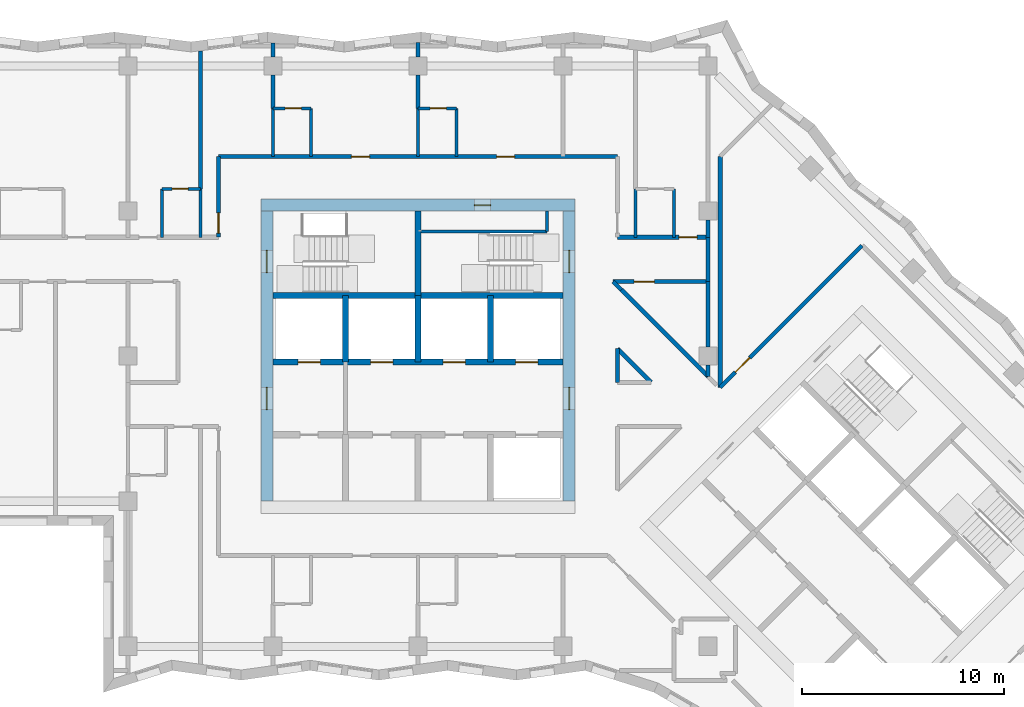
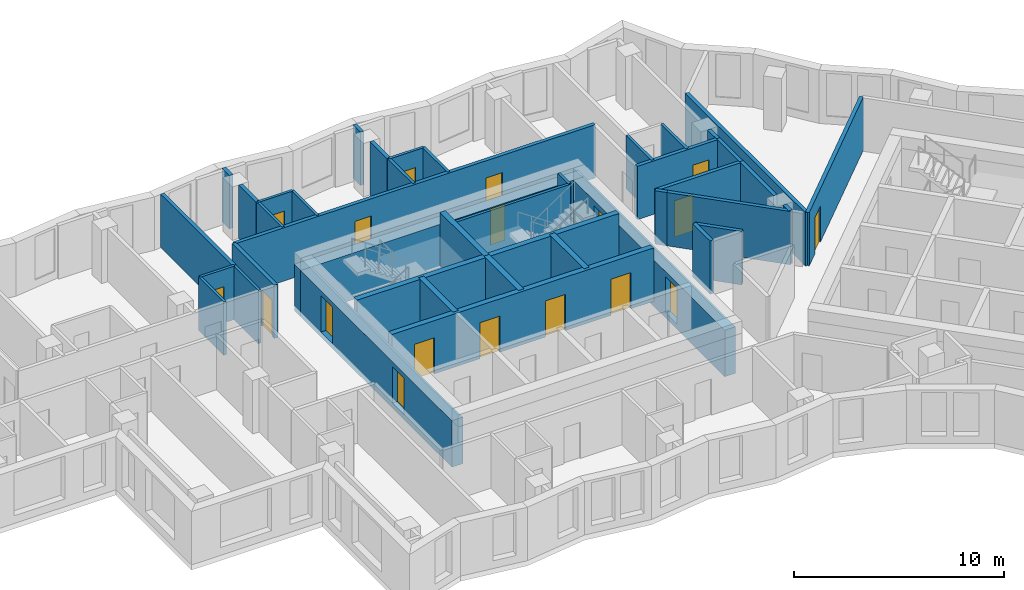
# One storey, part 6 of 12: 42 walls, 18 doors, 18 openings.
"""IFC4 building model written with IfcOpenShell, lengths in metres."""

import ifcopenshell
import ifcopenshell.guid

model = None  # the IFC model being written
_history = None  # IfcOwnerHistory: only IFC2X3 demands one
_inside = {}  # id of a spatial element -> (the spatial element, [elements in it])
_under = {}  # id of a project, library or spatial element -> (it, [spatial elements below it])
_declared = {}  # id of a project -> (the project, [libraries it declares])
_typed = {}  # id of a type object -> (the type object, [elements of that type])
_made_of = {}  # id of a material, layer set ... -> (it, [elements and type objects made of it])


def new_model(schema):
    """Start an empty IFC model of exactly this schema.

    Asked for "IFC4X3", IfcOpenShell would pick the latest addendum, in which some entities
    have other attributes; the version numbers below select the first issue.
    IFC2X3 requires an IfcOwnerHistory on every rooted entity: one is made here for all.
    """
    global model, _history
    if schema == "IFC4X3":
        model = ifcopenshell.file(schema_version=(4, 3, 0, 0))
    else:
        model = ifcopenshell.file(schema=schema)
    _inside.clear()
    _under.clear()
    _declared.clear()
    _typed.clear()
    _made_of.clear()
    _history = None
    if model.schema == "IFC2X3":
        org = make("IfcOrganization", Name="unknown")
        user = make(
            "IfcPersonAndOrganization",
            ThePerson=make("IfcPerson", FamilyName="unknown"),
            TheOrganization=org,
        )
        app = make(
            "IfcApplication",
            ApplicationDeveloper=org,
            Version="unknown",
            ApplicationFullName="unknown",
            ApplicationIdentifier="unknown",
        )
        _history = make(
            "IfcOwnerHistory",
            OwningUser=user,
            OwningApplication=app,
            ChangeAction="ADDED",
            CreationDate=0,
        )
    return model


def make(cls, **values):
    """One entity of the class cls with the attributes given. An attribute that is None is left unset."""
    return model.create_entity(
        cls, **{name: value for name, value in values.items() if value is not None}
    )


def rooted(cls, **values):
    """An entity with a GlobalId (a new one), such as an element, a storey or a relation."""
    return make(cls, GlobalId=ifcopenshell.guid.new(), OwnerHistory=_history, **values)


def si_unit(unit_type, name, prefix=None):
    """IfcSIUnit, for example si_unit("LENGTHUNIT", "METRE", prefix="MILLI")."""
    return make("IfcSIUnit", UnitType=unit_type, Prefix=prefix, Name=name)


def assignment(units):
    """IfcUnitAssignment: the units of a project."""
    return None if units is None else make("IfcUnitAssignment", Units=units)


def point(xyz):
    """IfcCartesianPoint."""
    return None if xyz is None else make("IfcCartesianPoint", Coordinates=xyz)


def direction(xyz):
    """IfcDirection."""
    return None if xyz is None else make("IfcDirection", DirectionRatios=xyz)


def frame(location, z_axis=None, x_axis=None):
    """IfcAxis2Placement3D, a coordinate frame: its origin and axes. An axis left out is left unset."""
    return make(
        "IfcAxis2Placement3D",
        Location=point(location),
        Axis=direction(z_axis),
        RefDirection=direction(x_axis),
    )


def frame_2d(location, x_axis=None):
    """IfcAxis2Placement2D, a coordinate frame in the plane: its origin and x axis."""
    return make(
        "IfcAxis2Placement2D", Location=point(location), RefDirection=direction(x_axis)
    )


def origin():
    """The frame at (0, 0, 0) with its axes left unset."""
    return frame((0.0, 0.0, 0.0))


def place(relative_to, where):
    """IfcLocalPlacement: puts the frame where relative to a parent placement (None: the world)."""
    return make(
        "IfcLocalPlacement", PlacementRelTo=relative_to, RelativePlacement=where
    )


def context(
    kind, dimensions, precision=None, world=None, true_north=None, identifier=None
):
    """IfcGeometricRepresentationContext, for example the 3D "Model" context."""
    return make(
        "IfcGeometricRepresentationContext",
        ContextIdentifier=identifier,
        ContextType=kind,
        CoordinateSpaceDimension=dimensions,
        Precision=precision,
        WorldCoordinateSystem=world,
        TrueNorth=true_north,
    )


def subcontext(parent, identifier, kind, view, scale=None):
    """IfcGeometricRepresentationSubContext, for example "Body" below "Model"."""
    return make(
        "IfcGeometricRepresentationSubContext",
        ContextIdentifier=identifier,
        ContextType=kind,
        ParentContext=parent,
        TargetScale=scale,
        TargetView=view,
    )


def project(units=None, contexts=None):
    """IfcProject with its units and contexts."""
    return rooted(
        "IfcProject",
        Name="project",
        RepresentationContexts=contexts,
        UnitsInContext=assignment(units),
    )


def spatial(cls, under=None, at=None, **own):
    """A site, building, storey or space (cls), placed at a placement, below another one or the project."""
    s = rooted(cls, ObjectPlacement=at, **own)
    if under is not None:
        _under.setdefault(under.id(), (under, []))[1].append(s)
    return s


def profile(cls, at=None, kind="AREA", **sizes):
    """A parametric profile (cls). Its sizes go by their IFC names, for example OverallWidth=200.0."""
    return make(cls, ProfileType=kind, Position=at, **sizes)


def rectangle(**sizes):
    """IfcRectangleProfileDef."""
    return profile("IfcRectangleProfileDef", **sizes)


def extrude(swept, where, along, depth):
    """IfcExtrudedAreaSolid: the profile swept, set in the frame where, extruded along a direction by depth."""
    return make(
        "IfcExtrudedAreaSolid",
        SweptArea=swept,
        Position=where,
        ExtrudedDirection=direction(along),
        Depth=depth,
    )


def shape(context_of_items, identifier, shape_type, items):
    """IfcShapeRepresentation: the items that make up one representation, for example the "Body"."""
    return make(
        "IfcShapeRepresentation",
        ContextOfItems=context_of_items,
        RepresentationIdentifier=identifier,
        RepresentationType=shape_type,
        Items=items,
    )


def material(Name=None, Category=None):
    """IfcMaterial."""
    return make("IfcMaterial", Name=Name, Category=Category)


def layer(
    of_material, thickness, ventilated=None, Name=None, Category=None, Priority=None
):
    """IfcMaterialLayer: one layer of a wall or slab, of a material (None: an air gap)."""
    return make(
        "IfcMaterialLayer",
        Material=of_material,
        LayerThickness=thickness,
        IsVentilated=ventilated,
        Name=Name,
        Category=Category,
        Priority=Priority,
    )


def layer_set(layers, Name=None):
    """IfcMaterialLayerSet."""
    return make("IfcMaterialLayerSet", MaterialLayers=layers, LayerSetName=Name)


def made_of(thing, what):
    """Note that an element or type object is made of a material, layer set ...; save() writes the relation."""
    if what is not None:
        _made_of.setdefault(what.id(), (what, []))[1].append(thing)
    return thing


def type_object(cls, material=None, **own):
    """A type object (cls), such as IfcWallType, which elements share."""
    return made_of(rooted(cls, **own), material)


def element(
    cls,
    number,
    at=None,
    inside=None,
    cuts=None,
    type_object=None,
    material=None,
    context=None,
    identifier="Body",
    shape_type=None,
    held_by="IfcProductDefinitionShape",
    body=None,
    shapes=None,
    **own,
):
    """One element of the class cls, such as IfcWall. Its Tag is "e" and its number.

    at: its placement. inside: the storey or other place that contains it. cuts: it is an
    opening in that element (IfcRelVoidsElement). A single representation is given by context,
    identifier, shape_type and body (its items); several are given by shapes. held_by: the class
    of the entity that holds the representations. save() writes the other relations.
    """
    e = rooted(cls, Tag="e%d" % number, ObjectPlacement=at, **own)
    if body is not None:
        shapes = [shape(context, identifier, shape_type, body)]
    if shapes is not None:
        e.Representation = make(held_by, Representations=shapes)
    if inside is not None:
        _inside.setdefault(inside.id(), (inside, []))[1].append(e)
    if cuts is not None:
        rooted(
            "IfcRelVoidsElement", RelatingBuildingElement=cuts, RelatedOpeningElement=e
        )
    if type_object is not None:
        _typed.setdefault(type_object.id(), (type_object, []))[1].append(e)
    return made_of(e, material)


def fill(opening, filler):
    """IfcRelFillsElement: the door or window that sits in an opening."""
    return rooted(
        "IfcRelFillsElement",
        RelatingOpeningElement=opening,
        RelatedBuildingElement=filler,
    )


def aggregate(whole, parts):
    """IfcRelAggregates: a whole, such as a stair, and the parts it consists of."""
    return rooted("IfcRelAggregates", RelatingObject=whole, RelatedObjects=parts)


def save(model, path):
    """Write the relations noted so far, then the file.

    IfcRelAggregates (storeys below a building ...), IfcRelContainedInSpatialStructure (elements
    in a storey), IfcRelDefinesByType, IfcRelAssociatesMaterial and IfcRelDeclares: one each for
    every whole, place, type object, material and project.
    """
    for whole, parts in _under.values():
        aggregate(whole, parts)
    for where, things in _inside.values():
        rooted(
            "IfcRelContainedInSpatialStructure",
            RelatedElements=things,
            RelatingStructure=where,
        )
    for kind, things in _typed.values():
        rooted("IfcRelDefinesByType", RelatedObjects=things, RelatingType=kind)
    for what, things in _made_of.values():
        rooted("IfcRelAssociatesMaterial", RelatedObjects=things, RelatingMaterial=what)
    for by, libraries in _declared.values():
        rooted("IfcRelDeclares", RelatingContext=by, RelatedDefinitions=libraries)
    model.write(path)


model = new_model("IFC4")

# Units and contexts
model_context = context("Model", 3, precision=1e-05, world=origin(), true_north=direction((0.0, 1.0)))
body_context = subcontext(model_context, "Body", "Model", "MODEL_VIEW")
ifc_project = project(units=[si_unit("LENGTHUNIT", "METRE"), si_unit("AREAUNIT", "SQUARE_METRE"), si_unit("VOLUMEUNIT", "CUBIC_METRE"), si_unit("PLANEANGLEUNIT", "RADIAN"), si_unit("MASSUNIT", "GRAM", prefix="KILO")], contexts=[model_context])

# Site, building, storey
site_placement = place(None, origin())
site = spatial("IfcSite", under=ifc_project, at=site_placement, CompositionType="ELEMENT")
building_placement = place(site_placement, origin())
building = spatial("IfcBuilding", under=site, at=building_placement, Name="Windrow Commons", CompositionType="ELEMENT")
storey_placement = place(building_placement, frame((0.0, 0.0, 155.8)))
storey = spatial("IfcBuildingStorey", under=building, at=storey_placement, Name="L42", CompositionType="ELEMENT", Elevation=155.8)

# Wall, openings, doors
ifc_material_1 = material(Name="Blockwork partition", Category="masonry")
ifc_layer_1 = layer(ifc_material_1, 0.2)
ifc_layer_set_1 = layer_set([ifc_layer_1], Name="IW-CORRIDOR-200")
wall_type_1 = type_object("IfcWallType", Name="IW-CORRIDOR-200", PredefinedType="PARTITIONING", material=ifc_layer_set_1)
wall_1_placement = place(storey_placement, frame((54.9, 67.5, 0.0), z_axis=(0.0, 0.0, 1.0), x_axis=(1.0, 0.0, 0.0)))
wall_1 = element("IfcWall", 1, at=wall_1_placement, inside=storey, type_object=wall_type_1, Name="W-L42-W000", PredefinedType="PARTITIONING", context=body_context, shape_type="SweptSolid", body=[
    extrude(rectangle(XDim=19.8, YDim=0.2, at=frame_2d((9.9, 0.0))), origin(), (0.0, 0.0, 1.0), 3.1),
])
opening_1_placement = place(wall_1_placement, frame((6.5994, 0.0, 0.0)))
opening_1 = element("IfcOpeningElement", 2, at=opening_1_placement, cuts=wall_1, Name="Opening D109F", PredefinedType="OPENING", context=body_context, shape_type="SweptSolid", body=[
    extrude(rectangle(XDim=0.9, YDim=2.1, at=frame_2d((0.45, 1.05))), frame((0.0, 0.11, 0.0), z_axis=(0.0, -1.0, 0.0), x_axis=(1.0, 0.0, 0.0)), (0.0, 0.0, 1.0), 0.22),
])
opening_2_placement = place(wall_1_placement, frame((13.7994, 0.0, 0.0)))
opening_2 = element("IfcOpeningElement", 3, at=opening_2_placement, cuts=wall_1, Name="Opening D109F", PredefinedType="OPENING", context=body_context, shape_type="SweptSolid", body=[
    extrude(rectangle(XDim=0.9, YDim=2.1, at=frame_2d((0.45, 1.05))), frame((0.0, 0.11, 0.0), z_axis=(0.0, -1.0, 0.0), x_axis=(1.0, 0.0, 0.0)), (0.0, 0.0, 1.0), 0.22),
])
ifc_material_2 = material(Name="Timber door leaf", Category="wood")
door_type_1 = type_object("IfcDoorType", Name="DT-BEDROOM-900", OperationType="SINGLE_SWING_LEFT", PredefinedType="DOOR", material=ifc_material_2)
door_1_placement = place(opening_1_placement, origin())
door_1 = element("IfcDoor", 4, at=door_1_placement, inside=storey, type_object=door_type_1, Name="D-L42-D036", OperationType="SINGLE_SWING_RIGHT", OverallHeight=2.1, OverallWidth=0.9, PredefinedType="DOOR", context=body_context, shape_type="SweptSolid", body=[
    extrude(rectangle(XDim=0.9, YDim=2.1, at=frame_2d((0.45, 1.05))), frame((0.0, 0.025, 0.0), z_axis=(0.0, -1.0, 0.0), x_axis=(1.0, 0.0, 0.0)), (0.0, 0.0, 1.0), 0.05),
])
fill(opening_1, door_1)
door_2_placement = place(opening_2_placement, origin())
door_2 = element("IfcDoor", 5, at=door_2_placement, inside=storey, type_object=door_type_1, Name="D-L42-D038", OperationType="SINGLE_SWING_RIGHT", OverallHeight=2.1, OverallWidth=0.9, PredefinedType="DOOR", context=body_context, shape_type="SweptSolid", body=[
    extrude(rectangle(XDim=0.9, YDim=2.1, at=frame_2d((0.45, 1.05))), frame((0.0, 0.025, 0.0), z_axis=(0.0, -1.0, 0.0), x_axis=(1.0, 0.0, 0.0)), (0.0, 0.0, 1.0), 0.05),
])
fill(opening_2, door_2)

# Wall, opening, door
wall_2_placement = place(storey_placement, frame((79.7993, 56.0547, 0.0), z_axis=(0.0, 0.0, 1.0), x_axis=(0.7071067812, 0.7071067812, 0.0)))
wall_2 = element("IfcWall", 6, at=wall_2_placement, inside=storey, type_object=wall_type_1, Name="W-L42-W013", PredefinedType="PARTITIONING", context=body_context, shape_type="SweptSolid", body=[
    extrude(rectangle(XDim=9.9504, YDim=0.2, at=frame_2d((4.9752, 0.0))), origin(), (0.0, 0.0, 1.0), 3.1),
])
opening_3_placement = place(wall_2_placement, frame((1.0709, 0.0, 0.0)))
opening_3 = element("IfcOpeningElement", 7, at=opening_3_placement, cuts=wall_2, Name="Opening D310F", PredefinedType="OPENING", context=body_context, shape_type="SweptSolid", body=[
    extrude(rectangle(XDim=1.0, YDim=2.1, at=frame_2d((0.5, 1.05))), frame((0.0, 0.11, 0.0), z_axis=(0.0, -1.0, 0.0), x_axis=(1.0, 0.0, 0.0)), (0.0, 0.0, 1.0), 0.22),
])
ifc_material_3 = material(Name="Timber door leaf", Category="wood")
door_type_2 = type_object("IfcDoorType", Name="DT-AMENITY-1000", OperationType="SINGLE_SWING_LEFT", PredefinedType="DOOR", material=ifc_material_3)
door_3_placement = place(opening_3_placement, origin())
door_3 = element("IfcDoor", 8, at=door_3_placement, inside=storey, type_object=door_type_2, Name="D-L42-D040", OperationType="SINGLE_SWING_RIGHT", OverallHeight=2.1, OverallWidth=1.0, PredefinedType="DOOR", context=body_context, shape_type="SweptSolid", body=[
    extrude(rectangle(XDim=1.0, YDim=2.1, at=frame_2d((0.5, 1.05))), frame((0.0, 0.025, 0.0), z_axis=(0.0, -1.0, 0.0), x_axis=(1.0, 0.0, 0.0)), (0.0, 0.0, 1.0), 0.05),
])
fill(opening_3, door_3)

# Wall
wall_3_placement = place(storey_placement, frame((74.9034, 60.8894, 0.0), z_axis=(0.0, 0.0, 1.0), x_axis=(0.7071067812, -0.7071067812, 0.0)))
element("IfcWall", 9, at=wall_3_placement, inside=storey, type_object=wall_type_1, Name="W-L42-W026", PredefinedType="PARTITIONING", context=body_context, shape_type="SweptSolid", body=[
    extrude(rectangle(XDim=6.0811, YDim=0.2, at=frame_2d((3.0406, 0.0))), origin(), (0.0, 0.0, 1.0), 3.1),
])

# Wall, opening, door
wall_4_placement = place(storey_placement, frame((74.488, 61.3, 0.0), z_axis=(0.0, 0.0, 1.0), x_axis=(1.0, 0.0, 0.0)))
wall_4 = element("IfcWall", 10, at=wall_4_placement, inside=storey, type_object=wall_type_1, Name="W-L42-W033", PredefinedType="PARTITIONING", context=body_context, shape_type="SweptSolid", body=[
    extrude(rectangle(XDim=4.712, YDim=0.2, at=frame_2d((2.356, 0.0))), origin(), (0.0, 0.0, 1.0), 3.1),
])
opening_4_placement = place(wall_4_placement, frame((1.0374, 0.0, 0.0)))
opening_4 = element("IfcOpeningElement", 11, at=opening_4_placement, cuts=wall_4, Name="Opening D410F", PredefinedType="OPENING", context=body_context, shape_type="SweptSolid", body=[
    extrude(rectangle(XDim=1.0, YDim=2.1, at=frame_2d((0.5, 1.05))), frame((0.0, 0.11, 0.0), z_axis=(0.0, -1.0, 0.0), x_axis=(1.0, 0.0, 0.0)), (0.0, 0.0, 1.0), 0.22),
])
ifc_material_4 = material(Name="Timber door leaf", Category="wood")
door_type_3 = type_object("IfcDoorType", Name="DT-SERVICE-1000", OperationType="SINGLE_SWING_LEFT", PredefinedType="DOOR", material=ifc_material_4)
door_4_placement = place(opening_4_placement, origin())
door_4 = element("IfcDoor", 12, at=door_4_placement, inside=storey, type_object=door_type_3, Name="D-L42-D030", OperationType="SINGLE_SWING_RIGHT", OverallHeight=2.1, OverallWidth=1.0, PredefinedType="DOOR", context=body_context, shape_type="SweptSolid", body=[
    extrude(rectangle(XDim=1.0, YDim=2.1, at=frame_2d((0.5, 1.05))), frame((0.0, 0.025, 0.0), z_axis=(0.0, -1.0, 0.0), x_axis=(1.0, 0.0, 0.0)), (0.0, 0.0, 1.0), 0.05),
])
fill(opening_4, door_4)

wall_5_placement = place(storey_placement, frame((74.702, 63.5, 0.0), z_axis=(0.0, 0.0, 1.0), x_axis=(1.0, 0.0, 0.0)))
wall_5 = element("IfcWall", 13, at=wall_5_placement, inside=storey, type_object=wall_type_1, Name="W-L42-W037", PredefinedType="PARTITIONING", context=body_context, shape_type="SweptSolid", body=[
    extrude(rectangle(XDim=4.498, YDim=0.2, at=frame_2d((2.249, 0.0))), origin(), (0.0, 0.0, 1.0), 3.1),
])
opening_5_placement = place(wall_5_placement, frame((3.0463, 0.0, 0.0)))
opening_5 = element("IfcOpeningElement", 14, at=opening_5_placement, cuts=wall_5, Name="Opening D109S", PredefinedType="OPENING", context=body_context, shape_type="SweptSolid", body=[
    extrude(rectangle(XDim=0.9, YDim=2.1, at=frame_2d((0.45, 1.05))), frame((0.0, 0.11, 0.0), z_axis=(0.0, -1.0, 0.0), x_axis=(1.0, 0.0, 0.0)), (0.0, 0.0, 1.0), 0.22),
])
door_5_placement = place(opening_5_placement, origin())
door_5 = element("IfcDoor", 15, at=door_5_placement, inside=storey, type_object=door_type_1, Name="D-L42-D023", OperationType="SINGLE_SWING_LEFT", OverallHeight=2.1, OverallWidth=0.9, PredefinedType="DOOR", context=body_context, shape_type="SweptSolid", body=[
    extrude(rectangle(XDim=0.9, YDim=2.1, at=frame_2d((0.45, 1.05))), frame((0.0, 0.025, 0.0), z_axis=(0.0, -1.0, 0.0), x_axis=(1.0, 0.0, 0.0)), (0.0, 0.0, 1.0), 0.05),
])
fill(opening_5, door_5)

wall_6_placement = place(storey_placement, frame((54.9, 63.502, 0.0), z_axis=(0.0, 0.0, 1.0), x_axis=(0.0, 1.0, 0.0)))
wall_6 = element("IfcWall", 16, at=wall_6_placement, inside=storey, type_object=wall_type_1, Name="W-L42-W042", PredefinedType="PARTITIONING", context=body_context, shape_type="SweptSolid", body=[
    extrude(rectangle(XDim=3.998, YDim=0.2, at=frame_2d((1.999, 0.0))), origin(), (0.0, 0.0, 1.0), 3.1),
])
opening_6_placement = place(wall_6_placement, frame((0.2031, 0.0, 0.0)))
opening_6 = element("IfcOpeningElement", 17, at=opening_6_placement, cuts=wall_6, Name="Opening D310F", PredefinedType="OPENING", context=body_context, shape_type="SweptSolid", body=[
    extrude(rectangle(XDim=1.0, YDim=2.1, at=frame_2d((0.5, 1.05))), frame((0.0, 0.11, 0.0), z_axis=(0.0, -1.0, 0.0), x_axis=(1.0, 0.0, 0.0)), (0.0, 0.0, 1.0), 0.22),
])
door_6_placement = place(opening_6_placement, origin())
door_6 = element("IfcDoor", 18, at=door_6_placement, inside=storey, type_object=door_type_2, Name="D-L42-D021", OperationType="SINGLE_SWING_LEFT", OverallHeight=2.1, OverallWidth=1.0, PredefinedType="DOOR", context=body_context, shape_type="SweptSolid", body=[
    extrude(rectangle(XDim=1.0, YDim=2.1, at=frame_2d((0.5, 1.05))), frame((0.0, 0.025, 0.0), z_axis=(0.0, -1.0, 0.0), x_axis=(1.0, 0.0, 0.0)), (0.0, 0.0, 1.0), 0.05),
])
fill(opening_6, door_6)

# Walls
wall_7_placement = place(storey_placement, frame((74.6987, 57.9687, 0.0), z_axis=(0.0, 0.0, 1.0), x_axis=(0.7071067812, -0.7071067812, 0.0)))
element("IfcWall", 19, at=wall_7_placement, inside=storey, type_object=wall_type_1, Name="W-L42-W104", PredefinedType="PARTITIONING", context=body_context, shape_type="SweptSolid", body=[
    extrude(rectangle(XDim=2.3617, YDim=0.2, at=frame_2d((1.1808, 0.0))), origin(), (0.0, 0.0, 1.0), 3.1),
])
wall_8_placement = place(storey_placement, frame((79.2, 61.3, 0.0), z_axis=(0.0, 0.0, 1.0), x_axis=(0.0, 1.0, 0.0)))
element("IfcWall", 20, at=wall_8_placement, inside=storey, type_object=wall_type_1, Name="W-L42-W107", PredefinedType="PARTITIONING", context=body_context, shape_type="SweptSolid", body=[
    extrude(rectangle(XDim=2.2, YDim=0.2, at=frame_2d((1.1, 0.0))), origin(), (0.0, 0.0, 1.0), 3.1),
])
wall_9_placement = place(storey_placement, frame((74.7, 56.302, 0.0), z_axis=(0.0, 0.0, 1.0), x_axis=(0.0, 1.0, 0.0)))
element("IfcWall", 21, at=wall_9_placement, inside=storey, type_object=wall_type_1, Name="W-L42-W131", PredefinedType="PARTITIONING", context=body_context, shape_type="SweptSolid", body=[
    extrude(rectangle(XDim=1.67, YDim=0.2, at=frame_2d((0.835, 0.0))), origin(), (0.0, 0.0, 1.0), 3.1),
])
wall_10_placement = place(storey_placement, frame((74.4888, 61.3008, 0.0), z_axis=(0.0, 0.0, 1.0), x_axis=(0.7053925905, -0.7088168263, 0.0)))
element("IfcWall", 22, at=wall_10_placement, inside=storey, type_object=wall_type_1, Name="W-L42-W167", PredefinedType="PARTITIONING", context=body_context, shape_type="SweptSolid", body=[
    extrude(rectangle(XDim=0.5841, YDim=0.2, at=frame_2d((0.292, 0.0))), origin(), (0.0, 0.0, 1.0), 3.1),
])
ifc_material_5 = material(Name="Blockwork partition", Category="masonry")
ifc_layer_2 = layer(ifc_material_5, 0.15)
ifc_layer_set_2 = layer_set([ifc_layer_2], Name="IW-ENSUITE-150")
wall_type_2 = type_object("IfcWallType", Name="IW-ENSUITE-150", PredefinedType="PARTITIONING", material=ifc_layer_set_2)
for number, where, z_axis, x_axis, name in (
    (23, (52.1, 63.5, 0.0), (0.0, 0.0, 1.0), (0.0, 1.0, 0.0), "W-L42-W079"),
    (24, (54.0, 63.5, 0.0), (0.0, 0.0, 1.0), (0.0, 1.0, 0.0), "W-L42-W080"),
    (25, (59.5, 67.5, 0.0), (0.0, 0.0, 1.0), (0.0, 1.0, 0.0), "W-L42-W082"),
    (26, (57.6, 67.5, 0.0), (0.0, 0.0, 1.0), (0.0, 1.0, 0.0), "W-L42-W084"),
    (27, (66.7, 67.5, 0.0), (0.0, 0.0, 1.0), (0.0, 1.0, 0.0), "W-L42-W086"),
    (28, (64.8, 67.5, 0.0), (0.0, 0.0, 1.0), (0.0, 1.0, 0.0), "W-L42-W088"),
    (29, (75.6, 63.5, 0.0), (0.0, 0.0, 1.0), (0.0, 1.0, 0.0), "W-L42-W089"),
    (30, (77.5, 63.5, 0.0), (0.0, 0.0, 1.0), (0.0, 1.0, 0.0), "W-L42-W090"),
):
    element("IfcWall", number, at=place(storey_placement, frame(where, z_axis=z_axis, x_axis=x_axis)), inside=storey, type_object=wall_type_2, Name=name, PredefinedType="PARTITIONING", context=body_context, shape_type="SweptSolid", body=[
        extrude(rectangle(XDim=2.4, YDim=0.15, at=frame_2d((1.2, 0.0))), origin(), (0.0, 0.0, 1.0), 3.1),
    ])

# Wall, opening, door
wall_11_placement = place(storey_placement, frame((64.8, 69.9, 0.0), z_axis=(0.0, 0.0, 1.0), x_axis=(1.0, 0.0, 0.0)))
wall_11 = element("IfcWall", 31, at=wall_11_placement, inside=storey, type_object=wall_type_2, Name="W-L42-W116", PredefinedType="PARTITIONING", context=body_context, shape_type="SweptSolid", body=[
    extrude(rectangle(XDim=1.9, YDim=0.15, at=frame_2d((0.95, 0.0))), origin(), (0.0, 0.0, 1.0), 3.1),
])
opening_7_placement = place(wall_11_placement, frame((0.6069, 0.0, 0.0)))
opening_7 = element("IfcOpeningElement", 32, at=opening_7_placement, cuts=wall_11, Name="Opening D208N", PredefinedType="OPENING", context=body_context, shape_type="SweptSolid", body=[
    extrude(rectangle(XDim=0.8, YDim=2.1, at=frame_2d((0.4, 1.05))), frame((0.0, 0.085, 0.0), z_axis=(0.0, -1.0, 0.0), x_axis=(1.0, 0.0, 0.0)), (0.0, 0.0, 1.0), 0.17),
])
ifc_material_6 = material(Name="Timber door leaf", Category="wood")
door_type_4 = type_object("IfcDoorType", Name="DT-ENSUITE-800", OperationType="SINGLE_SWING_LEFT", PredefinedType="DOOR", material=ifc_material_6)
door_7_placement = place(opening_7_placement, origin())
door_7 = element("IfcDoor", 33, at=door_7_placement, inside=storey, type_object=door_type_4, Name="D-L42-D039", OperationType="SINGLE_SWING_RIGHT", OverallHeight=2.1, OverallWidth=0.8, PredefinedType="DOOR", context=body_context, shape_type="SweptSolid", body=[
    extrude(rectangle(XDim=0.8, YDim=2.1, at=frame_2d((0.4, 1.05))), frame((0.0, 0.025, 0.0), z_axis=(0.0, -1.0, 0.0), x_axis=(1.0, 0.0, 0.0)), (0.0, 0.0, 1.0), 0.05),
])
fill(opening_7, door_7)

wall_12_placement = place(storey_placement, frame((52.1, 65.9, 0.0), z_axis=(0.0, 0.0, 1.0), x_axis=(1.0, 0.0, 0.0)))
wall_12 = element("IfcWall", 34, at=wall_12_placement, inside=storey, type_object=wall_type_2, Name="W-L42-W122", PredefinedType="PARTITIONING", context=body_context, shape_type="SweptSolid", body=[
    extrude(rectangle(XDim=1.9, YDim=0.15, at=frame_2d((0.95, 0.0))), origin(), (0.0, 0.0, 1.0), 3.1),
])
opening_8_placement = place(wall_12_placement, frame((0.4931, 0.0, 0.0)))
opening_8 = element("IfcOpeningElement", 35, at=opening_8_placement, cuts=wall_12, Name="Opening D208N", PredefinedType="OPENING", context=body_context, shape_type="SweptSolid", body=[
    extrude(rectangle(XDim=0.8, YDim=2.1, at=frame_2d((0.4, 1.05))), frame((0.0, 0.085, 0.0), z_axis=(0.0, -1.0, 0.0), x_axis=(1.0, 0.0, 0.0)), (0.0, 0.0, 1.0), 0.17),
])
door_8_placement = place(opening_8_placement, origin())
door_8 = element("IfcDoor", 36, at=door_8_placement, inside=storey, type_object=door_type_4, Name="D-L42-D020", OperationType="SINGLE_SWING_RIGHT", OverallHeight=2.1, OverallWidth=0.8, PredefinedType="DOOR", context=body_context, shape_type="SweptSolid", body=[
    extrude(rectangle(XDim=0.8, YDim=2.1, at=frame_2d((0.4, 1.05))), frame((0.0, 0.025, 0.0), z_axis=(0.0, -1.0, 0.0), x_axis=(1.0, 0.0, 0.0)), (0.0, 0.0, 1.0), 0.05),
])
fill(opening_8, door_8)

wall_13_placement = place(storey_placement, frame((57.6, 69.9, 0.0), z_axis=(0.0, 0.0, 1.0), x_axis=(1.0, 0.0, 0.0)))
wall_13 = element("IfcWall", 37, at=wall_13_placement, inside=storey, type_object=wall_type_2, Name="W-L42-W125", PredefinedType="PARTITIONING", context=body_context, shape_type="SweptSolid", body=[
    extrude(rectangle(XDim=1.9, YDim=0.15, at=frame_2d((0.95, 0.0))), origin(), (0.0, 0.0, 1.0), 3.1),
])
opening_9_placement = place(wall_13_placement, frame((0.6069, 0.0, 0.0)))
opening_9 = element("IfcOpeningElement", 38, at=opening_9_placement, cuts=wall_13, Name="Opening D208N", PredefinedType="OPENING", context=body_context, shape_type="SweptSolid", body=[
    extrude(rectangle(XDim=0.8, YDim=2.1, at=frame_2d((0.4, 1.05))), frame((0.0, 0.085, 0.0), z_axis=(0.0, -1.0, 0.0), x_axis=(1.0, 0.0, 0.0)), (0.0, 0.0, 1.0), 0.17),
])
door_9_placement = place(opening_9_placement, origin())
door_9 = element("IfcDoor", 39, at=door_9_placement, inside=storey, type_object=door_type_4, Name="D-L42-D037", OperationType="SINGLE_SWING_RIGHT", OverallHeight=2.1, OverallWidth=0.8, PredefinedType="DOOR", context=body_context, shape_type="SweptSolid", body=[
    extrude(rectangle(XDim=0.8, YDim=2.1, at=frame_2d((0.4, 1.05))), frame((0.0, 0.025, 0.0), z_axis=(0.0, -1.0, 0.0), x_axis=(1.0, 0.0, 0.0)), (0.0, 0.0, 1.0), 0.05),
])
fill(opening_9, door_9)

# Walls
ifc_material_7 = material(Name="Blockwork partition", Category="masonry")
ifc_layer_3 = layer(ifc_material_7, 0.2)
ifc_layer_set_3 = layer_set([ifc_layer_3], Name="IW-PARTY-200")
wall_type_3 = type_object("IfcWallType", Name="IW-PARTY-200", PredefinedType="PARTITIONING", material=ifc_layer_set_3)
wall_14_placement = place(storey_placement, frame((79.8, 56.054, 0.0), z_axis=(0.0, 0.0, 1.0), x_axis=(0.0, 1.0, 0.0)))
element("IfcWall", 40, at=wall_14_placement, inside=storey, type_object=wall_type_3, Name="W-L42-W011", PredefinedType="PARTITIONING", context=body_context, shape_type="SweptSolid", body=[
    extrude(rectangle(XDim=11.454, YDim=0.2, at=frame_2d((5.727, 0.0))), origin(), (0.0, 0.0, 1.0), 3.1),
])
wall_15_placement = place(storey_placement, frame((54.0, 65.9, 0.0), z_axis=(0.0, 0.0, 1.0), x_axis=(0.0, 1.0, 0.0)))
element("IfcWall", 41, at=wall_15_placement, inside=storey, type_object=wall_type_3, Name="W-L42-W017", PredefinedType="PARTITIONING", context=body_context, shape_type="SweptSolid", body=[
    extrude(rectangle(XDim=6.8552, YDim=0.2, at=frame_2d((3.4276, 0.0))), origin(), (0.0, 0.0, 1.0), 3.1),
])
wall_16_placement = place(storey_placement, frame((79.2, 58.05, 0.0), z_axis=(0.0, 0.0, 1.0), x_axis=(0.0, 1.0, 0.0)))
element("IfcWall", 42, at=wall_16_placement, inside=storey, type_object=wall_type_3, Name="W-L42-W048", PredefinedType="PARTITIONING", context=body_context, shape_type="SweptSolid", body=[
    extrude(rectangle(XDim=3.25, YDim=0.2, at=frame_2d((1.625, 0.0))), origin(), (0.0, 0.0, 1.0), 3.1),
])
for number, where, z_axis, x_axis, name in (
    (43, (57.6, 69.9, 0.0), (0.0, 0.0, 1.0), (0.0, 1.0, 0.0), "W-L42-W134"),
    (44, (64.8, 69.9, 0.0), (0.0, 0.0, 1.0), (0.0, 1.0, 0.0), "W-L42-W135"),
):
    element("IfcWall", number, at=place(storey_placement, frame(where, z_axis=z_axis, x_axis=x_axis)), inside=storey, type_object=wall_type_3, Name=name, PredefinedType="PARTITIONING", context=body_context, shape_type="SweptSolid", body=[
        extrude(rectangle(XDim=1.65, YDim=0.2, at=frame_2d((0.825, 0.0))), origin(), (0.0, 0.0, 1.0), 3.1),
    ])
wall_17_placement = place(storey_placement, frame((79.2, 63.5, 0.0), z_axis=(0.0, 0.0, 1.0), x_axis=(0.0, 1.0, 0.0)))
element("IfcWall", 45, at=wall_17_placement, inside=storey, type_object=wall_type_3, Name="W-L42-W150", PredefinedType="PARTITIONING", context=body_context, shape_type="SweptSolid", body=[
    extrude(rectangle(XDim=0.85, YDim=0.2, at=frame_2d((0.425, 0.0))), origin(), (0.0, 0.0, 1.0), 3.1),
])
wall_18_placement = place(storey_placement, frame((57.6, 72.45, 0.0), z_axis=(0.0, 0.0, 1.0), x_axis=(0.0, 1.0, 0.0)))
element("IfcWall", 46, at=wall_18_placement, inside=storey, type_object=wall_type_3, Name="W-L42-W161", PredefinedType="PARTITIONING", context=body_context, shape_type="SweptSolid", body=[
    extrude(rectangle(XDim=0.6944, YDim=0.2, at=frame_2d((0.3472, 0.0))), origin(), (0.0, 0.0, 1.0), 3.1),
])
wall_19_placement = place(storey_placement, frame((79.2, 56.586, 0.0), z_axis=(0.0, 0.0, 1.0), x_axis=(0.0, 1.0, 0.0)))
element("IfcWall", 47, at=wall_19_placement, inside=storey, type_object=wall_type_3, Name="W-L42-W168", PredefinedType="PARTITIONING", context=body_context, shape_type="SweptSolid", body=[
    extrude(rectangle(XDim=0.564, YDim=0.2, at=frame_2d((0.282, 0.0))), origin(), (0.0, 0.0, 1.0), 3.1),
])
wall_20_placement = place(storey_placement, frame((64.8, 72.45, 0.0), z_axis=(0.0, 0.0, 1.0), x_axis=(0.0, 1.0, 0.0)))
element("IfcWall", 48, at=wall_20_placement, inside=storey, type_object=wall_type_3, Name="W-L42-W169", PredefinedType="PARTITIONING", context=body_context, shape_type="SweptSolid", body=[
    extrude(rectangle(XDim=0.7104, YDim=0.2, at=frame_2d((0.3552, 0.0))), origin(), (0.0, 0.0, 1.0), 3.1),
])

# Wall, opening, door
ifc_material_8 = material(Name="Concrete C50/60", Category="concrete")
ifc_layer_4 = layer(ifc_material_8, 0.6)
ifc_layer_set_4 = layer_set([ifc_layer_4], Name="RC CORE WALL 600 C50/60")
wall_type_4 = type_object("IfcWallType", Name="RC CORE WALL 600 C50/60", PredefinedType="SHEAR", material=ifc_layer_set_4)
wall_21_placement = place(storey_placement, frame((57.0, 65.1, -0.3), z_axis=(0.0, 0.0, 1.0), x_axis=(1.0, 0.0, 0.0)))
wall_21 = element("IfcWall", 49, at=wall_21_placement, inside=storey, type_object=wall_type_4, Name="Core A wall outer-N", PredefinedType="SHEAR", context=body_context, shape_type="SweptSolid", body=[
    extrude(rectangle(XDim=15.6, YDim=0.6, at=frame_2d((7.8, 0.0))), origin(), (0.0, 0.0, 1.0), 2.7),
])
opening_10_placement = place(wall_21_placement, frame((10.6, 0.0, 0.3)))
opening_10 = element("IfcOpeningElement", 50, at=opening_10_placement, cuts=wall_21, Name="Opening D9", PredefinedType="OPENING", context=body_context, shape_type="SweptSolid", body=[
    extrude(rectangle(XDim=0.8, YDim=2.1, at=frame_2d((0.4, 1.05))), frame((0.0, 0.31, 0.0), z_axis=(0.0, -1.0, 0.0), x_axis=(1.0, 0.0, 0.0)), (0.0, 0.0, 1.0), 0.62),
])
ifc_material_9 = material(Name="Steel fire door leaf", Category="steel")
door_type_5 = type_object("IfcDoorType", Name="Riser access door 800", OperationType="SINGLE_SWING_LEFT", PredefinedType="DOOR", material=ifc_material_9)
door_10_placement = place(opening_10_placement, origin())
door_10 = element("IfcDoor", 51, at=door_10_placement, inside=storey, type_object=door_type_5, Name="Riser access door", OperationType="SINGLE_SWING_RIGHT", OverallHeight=2.1, OverallWidth=0.8, PredefinedType="DOOR", context=body_context, shape_type="SweptSolid", body=[
    extrude(rectangle(XDim=0.8, YDim=2.1, at=frame_2d((0.4, 1.05))), frame((0.0, 0.025, 0.0), z_axis=(0.0, -1.0, 0.0), x_axis=(1.0, 0.0, 0.0)), (0.0, 0.0, 1.0), 0.05),
])
fill(opening_10, door_10)

# Wall, openings, doors
wall_22_placement = place(storey_placement, frame((57.3, 50.4, -0.3), z_axis=(0.0, 0.0, 1.0), x_axis=(0.0, 1.0, 0.0)))
wall_22 = element("IfcWall", 52, at=wall_22_placement, inside=storey, type_object=wall_type_4, Name="Core A wall outer-W", PredefinedType="SHEAR", context=body_context, shape_type="SweptSolid", body=[
    extrude(rectangle(XDim=14.4, YDim=0.6, at=frame_2d((7.2, 0.0))), origin(), (0.0, 0.0, 1.0), 2.7),
])
opening_11_placement = place(wall_22_placement, frame((4.55, 0.0, 0.3)))
opening_11 = element("IfcOpeningElement", 53, at=opening_11_placement, cuts=wall_22, Name="Opening D6", PredefinedType="OPENING", context=body_context, shape_type="SweptSolid", body=[
    extrude(rectangle(XDim=1.1, YDim=2.1, at=frame_2d((0.55, 1.05))), frame((0.0, 0.31, 0.0), z_axis=(0.0, -1.0, 0.0), x_axis=(1.0, 0.0, 0.0)), (0.0, 0.0, 1.0), 0.62),
])
opening_12_placement = place(wall_22_placement, frame((11.35, 0.0, 0.3)))
opening_12 = element("IfcOpeningElement", 54, at=opening_12_placement, cuts=wall_22, Name="Opening D7", PredefinedType="OPENING", context=body_context, shape_type="SweptSolid", body=[
    extrude(rectangle(XDim=1.1, YDim=2.1, at=frame_2d((0.55, 1.05))), frame((0.0, 0.31, 0.0), z_axis=(0.0, -1.0, 0.0), x_axis=(1.0, 0.0, 0.0)), (0.0, 0.0, 1.0), 0.62),
])
ifc_material_10 = material(Name="Steel fire door leaf", Category="steel")
door_type_6 = type_object("IfcDoorType", Name="Core lobby door 1100", OperationType="SINGLE_SWING_LEFT", PredefinedType="DOOR", material=ifc_material_10)
door_11_placement = place(opening_11_placement, origin())
door_11 = element("IfcDoor", 55, at=door_11_placement, inside=storey, type_object=door_type_6, Name="Lift lobby door", OperationType="DOUBLE_DOOR_SINGLE_SWING", OverallHeight=2.1, OverallWidth=1.1, PredefinedType="DOOR", context=body_context, shape_type="SweptSolid", body=[
    extrude(rectangle(XDim=1.1, YDim=2.1, at=frame_2d((0.55, 1.05))), frame((0.0, 0.025, 0.0), z_axis=(0.0, -1.0, 0.0), x_axis=(1.0, 0.0, 0.0)), (0.0, 0.0, 1.0), 0.05),
])
fill(opening_11, door_11)
ifc_material_11 = material(Name="Steel fire door leaf", Category="steel")
door_type_7 = type_object("IfcDoorType", Name="Stair door 1100", OperationType="SINGLE_SWING_LEFT", PredefinedType="DOOR", material=ifc_material_11)
door_12_placement = place(opening_12_placement, origin())
door_12 = element("IfcDoor", 56, at=door_12_placement, inside=storey, type_object=door_type_7, Name="Stair door", OperationType="SINGLE_SWING_LEFT", OverallHeight=2.1, OverallWidth=1.1, PredefinedType="DOOR", context=body_context, shape_type="SweptSolid", body=[
    extrude(rectangle(XDim=1.1, YDim=2.1, at=frame_2d((0.55, 1.05))), frame((0.0, 0.025, 0.0), z_axis=(0.0, -1.0, 0.0), x_axis=(1.0, 0.0, 0.0)), (0.0, 0.0, 1.0), 0.05),
])
fill(opening_12, door_12)

wall_23_placement = place(storey_placement, frame((72.3, 50.4, -0.3), z_axis=(0.0, 0.0, 1.0), x_axis=(0.0, 1.0, 0.0)))
wall_23 = element("IfcWall", 57, at=wall_23_placement, inside=storey, type_object=wall_type_4, Name="Core A wall outer-E", PredefinedType="SHEAR", context=body_context, shape_type="SweptSolid", body=[
    extrude(rectangle(XDim=14.4, YDim=0.6, at=frame_2d((7.2, 0.0))), origin(), (0.0, 0.0, 1.0), 2.7),
])
opening_13_placement = place(wall_23_placement, frame((4.55, 0.0, 0.3)))
opening_13 = element("IfcOpeningElement", 58, at=opening_13_placement, cuts=wall_23, Name="Opening D6", PredefinedType="OPENING", context=body_context, shape_type="SweptSolid", body=[
    extrude(rectangle(XDim=1.1, YDim=2.1, at=frame_2d((0.55, 1.05))), frame((0.0, 0.31, 0.0), z_axis=(0.0, -1.0, 0.0), x_axis=(1.0, 0.0, 0.0)), (0.0, 0.0, 1.0), 0.62),
])
opening_14_placement = place(wall_23_placement, frame((11.35, 0.0, 0.3)))
opening_14 = element("IfcOpeningElement", 59, at=opening_14_placement, cuts=wall_23, Name="Opening D7", PredefinedType="OPENING", context=body_context, shape_type="SweptSolid", body=[
    extrude(rectangle(XDim=1.1, YDim=2.1, at=frame_2d((0.55, 1.05))), frame((0.0, 0.31, 0.0), z_axis=(0.0, -1.0, 0.0), x_axis=(1.0, 0.0, 0.0)), (0.0, 0.0, 1.0), 0.62),
])
door_13_placement = place(opening_13_placement, origin())
door_13 = element("IfcDoor", 60, at=door_13_placement, inside=storey, type_object=door_type_6, Name="Lift lobby door", OperationType="DOUBLE_DOOR_SINGLE_SWING", OverallHeight=2.1, OverallWidth=1.1, PredefinedType="DOOR", context=body_context, shape_type="SweptSolid", body=[
    extrude(rectangle(XDim=1.1, YDim=2.1, at=frame_2d((0.55, 1.05))), frame((0.0, 0.025, 0.0), z_axis=(0.0, -1.0, 0.0), x_axis=(1.0, 0.0, 0.0)), (0.0, 0.0, 1.0), 0.05),
])
fill(opening_13, door_13)
door_14_placement = place(opening_14_placement, origin())
door_14 = element("IfcDoor", 61, at=door_14_placement, inside=storey, type_object=door_type_7, Name="Stair door", OperationType="SINGLE_SWING_RIGHT", OverallHeight=2.1, OverallWidth=1.1, PredefinedType="DOOR", context=body_context, shape_type="SweptSolid", body=[
    extrude(rectangle(XDim=1.1, YDim=2.1, at=frame_2d((0.55, 1.05))), frame((0.0, 0.025, 0.0), z_axis=(0.0, -1.0, 0.0), x_axis=(1.0, 0.0, 0.0)), (0.0, 0.0, 1.0), 0.05),
])
fill(opening_14, door_14)

# Walls
ifc_material_12 = material(Name="Concrete C50/60", Category="concrete")
ifc_layer_5 = layer(ifc_material_12, 0.3)
ifc_layer_set_5 = layer_set([ifc_layer_5], Name="RC SHAFT WALL 300 C50/60")
wall_type_5 = type_object("IfcWallType", Name="RC SHAFT WALL 300 C50/60", PredefinedType="SOLIDWALL", material=ifc_layer_set_5)
for number, where, z_axis, x_axis, name in (
    (62, (61.2, 57.3, 0.0), (0.0, 0.0, 1.0), (0.0, 1.0, 0.0), "Core A wall shaft-N1"),
    (63, (64.8, 57.3, 0.0), (0.0, 0.0, 1.0), (0.0, 1.0, 0.0), "Core A wall shaft-N2"),
    (64, (68.4, 57.3, 0.0), (0.0, 0.0, 1.0), (0.0, 1.0, 0.0), "Core A wall shaft-N3"),
):
    element("IfcWall", number, at=place(storey_placement, frame(where, z_axis=z_axis, x_axis=x_axis)), inside=storey, type_object=wall_type_5, Name=name, PredefinedType="SOLIDWALL", context=body_context, shape_type="SweptSolid", body=[
        extrude(rectangle(XDim=3.3, YDim=0.3, at=frame_2d((1.65, 0.0))), origin(), (0.0, 0.0, 1.0), 3.1),
    ])

# Wall, openings, doors
wall_24_placement = place(storey_placement, frame((57.6, 57.3, 0.0), z_axis=(0.0, 0.0, 1.0), x_axis=(1.0, 0.0, 0.0)))
wall_24 = element("IfcWall", 65, at=wall_24_placement, inside=storey, type_object=wall_type_5, Name="Core A wall lobby-N", PredefinedType="SOLIDWALL", context=body_context, shape_type="SweptSolid", body=[
    extrude(rectangle(XDim=14.4, YDim=0.3, at=frame_2d((7.2, 0.0))), origin(), (0.0, 0.0, 1.0), 3.1),
])
opening_15_placement = place(wall_24_placement, frame((1.25, 0.0, 0.0)))
opening_15 = element("IfcOpeningElement", 66, at=opening_15_placement, cuts=wall_24, Name="Opening LD", PredefinedType="OPENING", context=body_context, shape_type="SweptSolid", body=[
    extrude(rectangle(XDim=1.1, YDim=2.1, at=frame_2d((0.55, 1.05))), frame((0.0, 0.16, 0.0), z_axis=(0.0, -1.0, 0.0), x_axis=(1.0, 0.0, 0.0)), (0.0, 0.0, 1.0), 0.32),
])
opening_16_placement = place(wall_24_placement, frame((4.85, 0.0, 0.0)))
opening_16 = element("IfcOpeningElement", 67, at=opening_16_placement, cuts=wall_24, Name="Opening LD", PredefinedType="OPENING", context=body_context, shape_type="SweptSolid", body=[
    extrude(rectangle(XDim=1.1, YDim=2.1, at=frame_2d((0.55, 1.05))), frame((0.0, 0.16, 0.0), z_axis=(0.0, -1.0, 0.0), x_axis=(1.0, 0.0, 0.0)), (0.0, 0.0, 1.0), 0.32),
])
opening_17_placement = place(wall_24_placement, frame((8.45, 0.0, 0.0)))
opening_17 = element("IfcOpeningElement", 68, at=opening_17_placement, cuts=wall_24, Name="Opening LD", PredefinedType="OPENING", context=body_context, shape_type="SweptSolid", body=[
    extrude(rectangle(XDim=1.1, YDim=2.1, at=frame_2d((0.55, 1.05))), frame((0.0, 0.16, 0.0), z_axis=(0.0, -1.0, 0.0), x_axis=(1.0, 0.0, 0.0)), (0.0, 0.0, 1.0), 0.32),
])
opening_18_placement = place(wall_24_placement, frame((12.05, 0.0, 0.0)))
opening_18 = element("IfcOpeningElement", 69, at=opening_18_placement, cuts=wall_24, Name="Opening LD", PredefinedType="OPENING", context=body_context, shape_type="SweptSolid", body=[
    extrude(rectangle(XDim=1.1, YDim=2.1, at=frame_2d((0.55, 1.05))), frame((0.0, 0.16, 0.0), z_axis=(0.0, -1.0, 0.0), x_axis=(1.0, 0.0, 0.0)), (0.0, 0.0, 1.0), 0.32),
])
ifc_material_13 = material(Name="Stainless steel door leaf", Category="steel")
door_type_8 = type_object("IfcDoorType", Name="Lift landing door 1100", OperationType="SLIDING_TO_LEFT", PredefinedType="DOOR", material=ifc_material_13)
door_15_placement = place(opening_15_placement, origin())
door_15 = element("IfcDoor", 70, at=door_15_placement, inside=storey, type_object=door_type_8, Name="Lift landing door", OperationType="SLIDING_TO_LEFT", OverallHeight=2.1, OverallWidth=1.1, PredefinedType="DOOR", context=body_context, shape_type="SweptSolid", body=[
    extrude(rectangle(XDim=1.1, YDim=2.1, at=frame_2d((0.55, 1.05))), frame((0.0, 0.025, 0.0), z_axis=(0.0, -1.0, 0.0), x_axis=(1.0, 0.0, 0.0)), (0.0, 0.0, 1.0), 0.05),
])
fill(opening_15, door_15)
door_16_placement = place(opening_16_placement, origin())
door_16 = element("IfcDoor", 71, at=door_16_placement, inside=storey, type_object=door_type_8, Name="Lift landing door", OperationType="SLIDING_TO_RIGHT", OverallHeight=2.1, OverallWidth=1.1, PredefinedType="DOOR", context=body_context, shape_type="SweptSolid", body=[
    extrude(rectangle(XDim=1.1, YDim=2.1, at=frame_2d((0.55, 1.05))), frame((0.0, 0.025, 0.0), z_axis=(0.0, -1.0, 0.0), x_axis=(1.0, 0.0, 0.0)), (0.0, 0.0, 1.0), 0.05),
])
fill(opening_16, door_16)
door_17_placement = place(opening_17_placement, origin())
door_17 = element("IfcDoor", 72, at=door_17_placement, inside=storey, type_object=door_type_8, Name="Lift landing door", OperationType="SLIDING_TO_LEFT", OverallHeight=2.1, OverallWidth=1.1, PredefinedType="DOOR", context=body_context, shape_type="SweptSolid", body=[
    extrude(rectangle(XDim=1.1, YDim=2.1, at=frame_2d((0.55, 1.05))), frame((0.0, 0.025, 0.0), z_axis=(0.0, -1.0, 0.0), x_axis=(1.0, 0.0, 0.0)), (0.0, 0.0, 1.0), 0.05),
])
fill(opening_17, door_17)
door_18_placement = place(opening_18_placement, origin())
door_18 = element("IfcDoor", 73, at=door_18_placement, inside=storey, type_object=door_type_8, Name="Lift landing door", OperationType="SLIDING_TO_RIGHT", OverallHeight=2.1, OverallWidth=1.1, PredefinedType="DOOR", context=body_context, shape_type="SweptSolid", body=[
    extrude(rectangle(XDim=1.1, YDim=2.1, at=frame_2d((0.55, 1.05))), frame((0.0, 0.025, 0.0), z_axis=(0.0, -1.0, 0.0), x_axis=(1.0, 0.0, 0.0)), (0.0, 0.0, 1.0), 0.05),
])
fill(opening_18, door_18)

# Walls
for number, where, z_axis, x_axis, name in (
    (74, (57.6, 60.6, 0.0), (0.0, 0.0, 1.0), (1.0, 0.0, 0.0), "Core A wall stair-S"),
    (75, (64.8, 60.6, 0.0), (0.0, 0.0, 1.0), (1.0, 0.0, 0.0), "Core A wall stair-S2"),
):
    element("IfcWall", number, at=place(storey_placement, frame(where, z_axis=z_axis, x_axis=x_axis)), inside=storey, type_object=wall_type_5, Name=name, PredefinedType="SOLIDWALL", context=body_context, shape_type="SweptSolid", body=[
        extrude(rectangle(XDim=7.2, YDim=0.3, at=frame_2d((3.6, 0.0))), origin(), (0.0, 0.0, 1.0), 3.1),
    ])
wall_25_placement = place(storey_placement, frame((64.8, 60.6, 0.0), z_axis=(0.0, 0.0, 1.0), x_axis=(0.0, 1.0, 0.0)))
element("IfcWall", 76, at=wall_25_placement, inside=storey, type_object=wall_type_5, Name="Core A wall stair-mid", PredefinedType="SOLIDWALL", context=body_context, shape_type="SweptSolid", body=[
    extrude(rectangle(XDim=4.2, YDim=0.3, at=frame_2d((2.1, 0.0))), origin(), (0.0, 0.0, 1.0), 3.1),
])
ifc_material_14 = material(Name="Blockwork partition", Category="masonry")
ifc_layer_6 = layer(ifc_material_14, 0.15)
ifc_layer_set_6 = layer_set([ifc_layer_6], Name="Riser partition 150")
wall_type_6 = type_object("IfcWallType", Name="Riser partition 150", PredefinedType="PARTITIONING", material=ifc_layer_set_6)
wall_26_placement = place(storey_placement, frame((64.95, 63.78, 0.0), z_axis=(0.0, 0.0, 1.0), x_axis=(1.0, 0.0, 0.0)))
element("IfcWall", 77, at=wall_26_placement, inside=storey, type_object=wall_type_6, Name="W-core-strip-A-L42", PredefinedType="PARTITIONING", context=body_context, shape_type="SweptSolid", body=[
    extrude(rectangle(XDim=6.25, YDim=0.15, at=frame_2d((3.125, 0.0))), origin(), (0.0, 0.0, 1.0), 3.1),
])
wall_27_placement = place(storey_placement, frame((71.2, 63.78, 0.0), z_axis=(0.0, 0.0, 1.0), x_axis=(0.0, 1.0, 0.0)))
element("IfcWall", 78, at=wall_27_placement, inside=storey, type_object=wall_type_6, Name="W-core-stripx-A-L42-1", PredefinedType="PARTITIONING", context=body_context, shape_type="SweptSolid", body=[
    extrude(rectangle(XDim=1.02, YDim=0.15, at=frame_2d((0.51, 0.0))), origin(), (0.0, 0.0, 1.0), 3.1),
])

save(model, "model.ifc")
